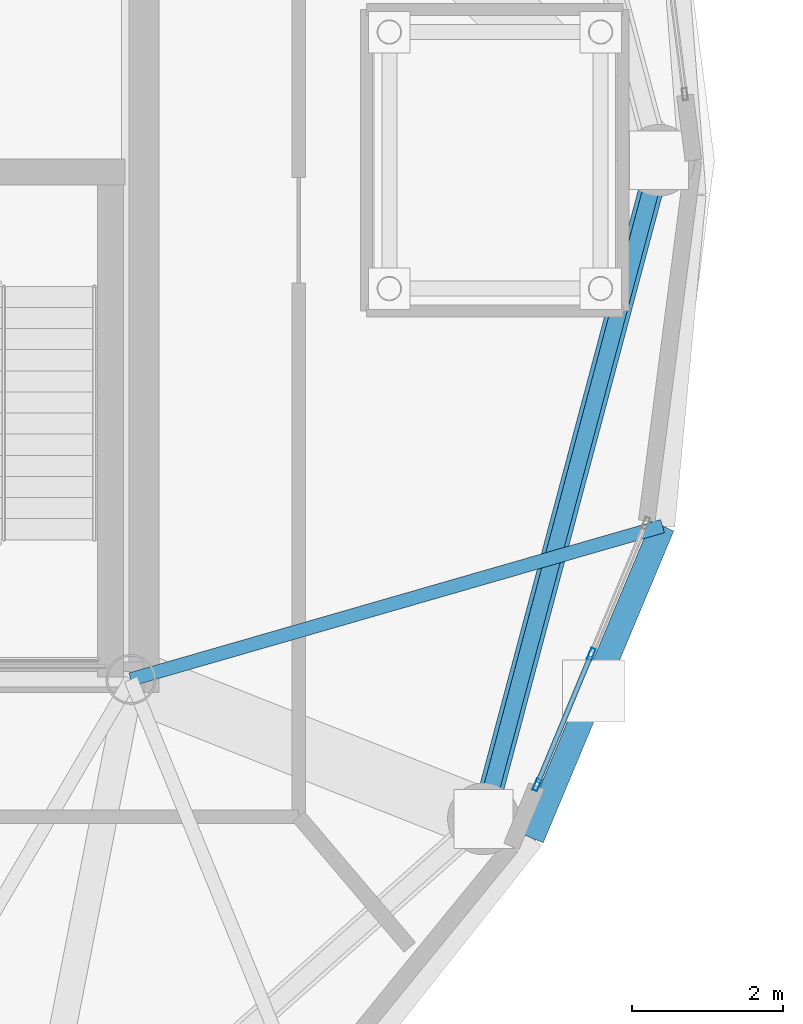
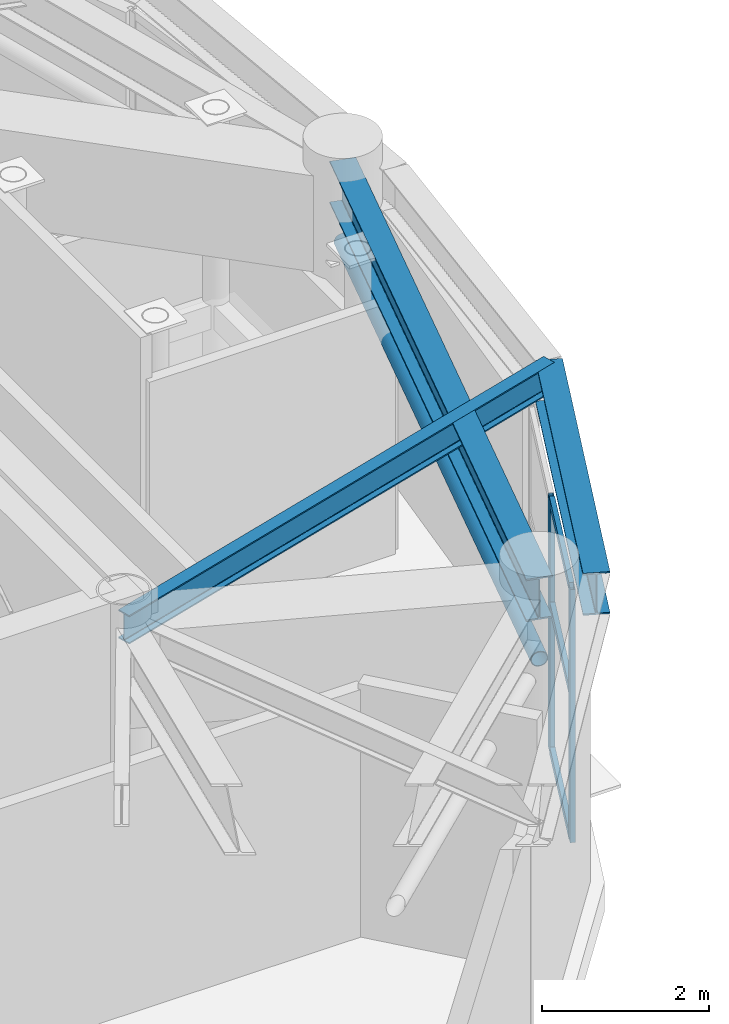
# One storey, part 5 of 28: 6 members, 3 beams, 1 element without a shape of its own.
"""IFC4 building model written with IfcOpenShell, lengths in metres."""

import ifcopenshell
import ifcopenshell.guid

model = None  # the IFC model being written
_history = None  # IfcOwnerHistory: only IFC2X3 demands one
_inside = {}  # id of a spatial element -> (the spatial element, [elements in it])
_under = {}  # id of a project, library or spatial element -> (it, [spatial elements below it])
_declared = {}  # id of a project -> (the project, [libraries it declares])
_typed = {}  # id of a type object -> (the type object, [elements of that type])
_made_of = {}  # id of a material, layer set ... -> (it, [elements and type objects made of it])


def new_model(schema):
    """Start an empty IFC model of exactly this schema.

    Asked for "IFC4X3", IfcOpenShell would pick the latest addendum, in which some entities
    have other attributes; the version numbers below select the first issue.
    IFC2X3 requires an IfcOwnerHistory on every rooted entity: one is made here for all.
    """
    global model, _history
    if schema == "IFC4X3":
        model = ifcopenshell.file(schema_version=(4, 3, 0, 0))
    else:
        model = ifcopenshell.file(schema=schema)
    _inside.clear()
    _under.clear()
    _declared.clear()
    _typed.clear()
    _made_of.clear()
    _history = None
    if model.schema == "IFC2X3":
        org = make("IfcOrganization", Name="unknown")
        user = make(
            "IfcPersonAndOrganization",
            ThePerson=make("IfcPerson", FamilyName="unknown"),
            TheOrganization=org,
        )
        app = make(
            "IfcApplication",
            ApplicationDeveloper=org,
            Version="unknown",
            ApplicationFullName="unknown",
            ApplicationIdentifier="unknown",
        )
        _history = make(
            "IfcOwnerHistory",
            OwningUser=user,
            OwningApplication=app,
            ChangeAction="ADDED",
            CreationDate=0,
        )
    return model


def make(cls, **values):
    """One entity of the class cls with the attributes given. An attribute that is None is left unset."""
    return model.create_entity(
        cls, **{name: value for name, value in values.items() if value is not None}
    )


def rooted(cls, **values):
    """An entity with a GlobalId (a new one), such as an element, a storey or a relation."""
    return make(cls, GlobalId=ifcopenshell.guid.new(), OwnerHistory=_history, **values)


def si_unit(unit_type, name, prefix=None):
    """IfcSIUnit, for example si_unit("LENGTHUNIT", "METRE", prefix="MILLI")."""
    return make("IfcSIUnit", UnitType=unit_type, Prefix=prefix, Name=name)


def assignment(units):
    """IfcUnitAssignment: the units of a project."""
    return None if units is None else make("IfcUnitAssignment", Units=units)


def point(xyz):
    """IfcCartesianPoint."""
    return None if xyz is None else make("IfcCartesianPoint", Coordinates=xyz)


def direction(xyz):
    """IfcDirection."""
    return None if xyz is None else make("IfcDirection", DirectionRatios=xyz)


def frame(location, z_axis=None, x_axis=None):
    """IfcAxis2Placement3D, a coordinate frame: its origin and axes. An axis left out is left unset."""
    return make(
        "IfcAxis2Placement3D",
        Location=point(location),
        Axis=direction(z_axis),
        RefDirection=direction(x_axis),
    )


def frame_2d(location, x_axis=None):
    """IfcAxis2Placement2D, a coordinate frame in the plane: its origin and x axis."""
    return make(
        "IfcAxis2Placement2D", Location=point(location), RefDirection=direction(x_axis)
    )


def origin():
    """The frame at (0, 0, 0) with its axes left unset."""
    return frame((0.0, 0.0, 0.0))


def origin_2d():
    """The frame at (0, 0) in the plane with its x axis left unset."""
    return frame_2d((0.0, 0.0))


def place(relative_to, where):
    """IfcLocalPlacement: puts the frame where relative to a parent placement (None: the world)."""
    return make(
        "IfcLocalPlacement", PlacementRelTo=relative_to, RelativePlacement=where
    )


def context(
    kind, dimensions, precision=None, world=None, true_north=None, identifier=None
):
    """IfcGeometricRepresentationContext, for example the 3D "Model" context."""
    return make(
        "IfcGeometricRepresentationContext",
        ContextIdentifier=identifier,
        ContextType=kind,
        CoordinateSpaceDimension=dimensions,
        Precision=precision,
        WorldCoordinateSystem=world,
        TrueNorth=true_north,
    )


def subcontext(parent, identifier, kind, view, scale=None):
    """IfcGeometricRepresentationSubContext, for example "Body" below "Model"."""
    return make(
        "IfcGeometricRepresentationSubContext",
        ContextIdentifier=identifier,
        ContextType=kind,
        ParentContext=parent,
        TargetScale=scale,
        TargetView=view,
    )


def project(units=None, contexts=None):
    """IfcProject with its units and contexts."""
    return rooted(
        "IfcProject",
        Name="project",
        RepresentationContexts=contexts,
        UnitsInContext=assignment(units),
    )


def spatial(cls, under=None, at=None, **own):
    """A site, building, storey or space (cls), placed at a placement, below another one or the project."""
    s = rooted(cls, ObjectPlacement=at, **own)
    if under is not None:
        _under.setdefault(under.id(), (under, []))[1].append(s)
    return s


def profile(cls, at=None, kind="AREA", **sizes):
    """A parametric profile (cls). Its sizes go by their IFC names, for example OverallWidth=200.0."""
    return make(cls, ProfileType=kind, Position=at, **sizes)


def hollow_rectangle(**sizes):
    """IfcRectangleHollowProfileDef."""
    return profile("IfcRectangleHollowProfileDef", **sizes)


def hollow_circle(**sizes):
    """IfcCircleHollowProfileDef."""
    return profile("IfcCircleHollowProfileDef", **sizes)


def i_section(**sizes):
    """IfcIShapeProfileDef."""
    return profile("IfcIShapeProfileDef", **sizes)


def extrude(swept, where, along, depth):
    """IfcExtrudedAreaSolid: the profile swept, set in the frame where, extruded along a direction by depth."""
    return make(
        "IfcExtrudedAreaSolid",
        SweptArea=swept,
        Position=where,
        ExtrudedDirection=direction(along),
        Depth=depth,
    )


def shape(context_of_items, identifier, shape_type, items):
    """IfcShapeRepresentation: the items that make up one representation, for example the "Body"."""
    return make(
        "IfcShapeRepresentation",
        ContextOfItems=context_of_items,
        RepresentationIdentifier=identifier,
        RepresentationType=shape_type,
        Items=items,
    )


def material(Name=None, Category=None):
    """IfcMaterial."""
    return make("IfcMaterial", Name=Name, Category=Category)


def layer(
    of_material, thickness, ventilated=None, Name=None, Category=None, Priority=None
):
    """IfcMaterialLayer: one layer of a wall or slab, of a material (None: an air gap)."""
    return make(
        "IfcMaterialLayer",
        Material=of_material,
        LayerThickness=thickness,
        IsVentilated=ventilated,
        Name=Name,
        Category=Category,
        Priority=Priority,
    )


def layer_set(layers, Name=None):
    """IfcMaterialLayerSet."""
    return make("IfcMaterialLayerSet", MaterialLayers=layers, LayerSetName=Name)


def material_profile(
    of_material, cross_section, Name=None, Category=None, Priority=None
):
    """IfcMaterialProfile: a cross section and its material."""
    return make(
        "IfcMaterialProfile",
        Name=Name,
        Material=of_material,
        Profile=cross_section,
        Priority=Priority,
        Category=Category,
    )


def profile_set(profiles, Name=None, composite=None):
    """IfcMaterialProfileSet."""
    return make(
        "IfcMaterialProfileSet",
        Name=Name,
        MaterialProfiles=profiles,
        CompositeProfile=composite,
    )


def made_of(thing, what):
    """Note that an element or type object is made of a material, layer set ...; save() writes the relation."""
    if what is not None:
        _made_of.setdefault(what.id(), (what, []))[1].append(thing)
    return thing


def type_object(cls, material=None, **own):
    """A type object (cls), such as IfcWallType, which elements share."""
    return made_of(rooted(cls, **own), material)


def element(
    cls,
    number,
    at=None,
    inside=None,
    cuts=None,
    type_object=None,
    material=None,
    context=None,
    identifier="Body",
    shape_type=None,
    held_by="IfcProductDefinitionShape",
    body=None,
    shapes=None,
    **own,
):
    """One element of the class cls, such as IfcWall. Its Tag is "e" and its number.

    at: its placement. inside: the storey or other place that contains it. cuts: it is an
    opening in that element (IfcRelVoidsElement). A single representation is given by context,
    identifier, shape_type and body (its items); several are given by shapes. held_by: the class
    of the entity that holds the representations. save() writes the other relations.
    """
    e = rooted(cls, Tag="e%d" % number, ObjectPlacement=at, **own)
    if body is not None:
        shapes = [shape(context, identifier, shape_type, body)]
    if shapes is not None:
        e.Representation = make(held_by, Representations=shapes)
    if inside is not None:
        _inside.setdefault(inside.id(), (inside, []))[1].append(e)
    if cuts is not None:
        rooted(
            "IfcRelVoidsElement", RelatingBuildingElement=cuts, RelatedOpeningElement=e
        )
    if type_object is not None:
        _typed.setdefault(type_object.id(), (type_object, []))[1].append(e)
    return made_of(e, material)


def aggregate(whole, parts):
    """IfcRelAggregates: a whole, such as a stair, and the parts it consists of."""
    return rooted("IfcRelAggregates", RelatingObject=whole, RelatedObjects=parts)


def save(model, path):
    """Write the relations noted so far, then the file.

    IfcRelAggregates (storeys below a building ...), IfcRelContainedInSpatialStructure (elements
    in a storey), IfcRelDefinesByType, IfcRelAssociatesMaterial and IfcRelDeclares: one each for
    every whole, place, type object, material and project.
    """
    for whole, parts in _under.values():
        aggregate(whole, parts)
    for where, things in _inside.values():
        rooted(
            "IfcRelContainedInSpatialStructure",
            RelatedElements=things,
            RelatingStructure=where,
        )
    for kind, things in _typed.values():
        rooted("IfcRelDefinesByType", RelatedObjects=things, RelatingType=kind)
    for what, things in _made_of.values():
        rooted("IfcRelAssociatesMaterial", RelatedObjects=things, RelatingMaterial=what)
    for by, libraries in _declared.values():
        rooted("IfcRelDeclares", RelatingContext=by, RelatedDefinitions=libraries)
    model.write(path)


model = new_model("IFC4")

# Units and contexts
model_context = context("Model", 3, precision=1e-05, world=origin(), true_north=direction((0.0, 1.0)))
body_context = subcontext(model_context, "Body", "Model", "MODEL_VIEW")
ifc_project = project(units=[si_unit("LENGTHUNIT", "METRE"), si_unit("AREAUNIT", "SQUARE_METRE"), si_unit("VOLUMEUNIT", "CUBIC_METRE"), si_unit("PLANEANGLEUNIT", "RADIAN"), si_unit("MASSUNIT", "GRAM", prefix="KILO")], contexts=[model_context])

# Site, building, storey
site_placement = place(None, origin())
site = spatial("IfcSite", under=ifc_project, at=site_placement, CompositionType="ELEMENT")
building_placement = place(site_placement, origin())
building = spatial("IfcBuilding", under=site, at=building_placement, Name="Cununo Teusaquillo Station Towers", CompositionType="ELEMENT")
storey_placement = place(building_placement, frame((0.0, 0.0, 235.64990234375)))
storey = spatial("IfcBuildingStorey", under=building, at=storey_placement, Name="L75", CompositionType="ELEMENT", Elevation=235.64990234375)

# Beams
ifc_material_1 = material(Name="Steel ASTM A572 Grade 50", Category="steel")
ifc_material_profile_1 = material_profile(ifc_material_1, i_section(OverallWidth=0.180908203125, OverallDepth=0.4169921875, WebThickness=0.010986328125, FlangeThickness=0.018310546875, FilletRadius=0.012939453125, at=origin_2d()), Name="W16X57")
ifc_profile_set_1 = profile_set([ifc_material_profile_1], Name="Steel ASTM A572 Grade 50")
beam_type_1 = type_object("IfcBeamType", Name="BM-JOIST-1", PredefinedType="JOIST", material=ifc_profile_set_1)
beam_1_placement = place(storey_placement, frame((21.675048828125, 17.6201171875, 4.131591796875), z_axis=(0.960861603375, 0.277028841748, 0.0), x_axis=(-0.277028841748, 0.960861603375, 0.0)))
element("IfcBeam", 1, at=beam_1_placement, inside=storey, type_object=beam_type_1, Name="L75 Tower A Radial Spandrel Joist V19", PredefinedType="JOIST", context=body_context, shape_type="SweptSolid", body=[
    extrude(i_section(OverallWidth=0.180908203125, OverallDepth=0.4169921875, WebThickness=0.010986328125, FlangeThickness=0.018310546875, FilletRadius=0.012939453125, at=origin_2d()), origin(), (0.0, 0.0, 1.0), 7.333251953125),
])
ifc_material_2 = material(Name="Steel ASTM A572 Grade 50", Category="steel")
ifc_material_profile_2 = material_profile(ifc_material_2, i_section(OverallWidth=0.324951171875, OverallDepth=0.615966796875, WebThickness=0.013916015625, FlangeThickness=0.021484375, FilletRadius=0.01611328125, at=origin_2d()), Name="W24X117")
ifc_profile_set_2 = profile_set([ifc_material_profile_2], Name="Steel ASTM A572 Grade 50")
beam_type_2 = type_object("IfcBeamType", Name="BM-PLNT-G2", PredefinedType="BEAM", material=ifc_profile_set_2)
beam_2_placement = place(storey_placement, frame((26.347412109375, 15.771484375, 4.031982421875), z_axis=(0.257363196347, 0.966314744359, 0.0), x_axis=(-0.966314744359, 0.257363196347, 0.0)))
element("IfcBeam", 2, at=beam_2_placement, inside=storey, type_object=beam_type_2, Name="L75 Tower A Structural Column Ring Girder 10", PredefinedType="BEAM", context=body_context, shape_type="SweptSolid", body=[
    extrude(i_section(OverallWidth=0.324951171875, OverallDepth=0.615966796875, WebThickness=0.013916015625, FlangeThickness=0.021484375, FilletRadius=0.01611328125, at=origin_2d()), origin(), (0.0, 0.0, 1.0), 9.03271484375),
])
beam_3_placement = place(storey_placement, frame((26.990478515625, 15.516845703125, 4.031982421875), z_axis=(0.386115454066, 0.922450462698, 0.0), x_axis=(-0.922450462698, 0.386115454066, 0.0)))
element("IfcBeam", 3, at=beam_3_placement, inside=storey, type_object=beam_type_2, Name="L75 Tower A Spandrel Ring Beam 19", PredefinedType="BEAM", context=body_context, shape_type="SweptSolid", body=[
    extrude(i_section(OverallWidth=0.324951171875, OverallDepth=0.615966796875, WebThickness=0.013916015625, FlangeThickness=0.021484375, FilletRadius=0.01611328125, at=origin_2d()), origin(), (0.0, 0.0, 1.0), 4.482421875),
])

# Curtain wall, members
ifc_material_3 = material(Name="Ceramic-fritted dark low-E double glazing", Category="glass")
ifc_layer = layer(ifc_material_3, 0.179931640625)
ifc_layer_set = layer_set([ifc_layer], Name="Ceramic-fritted dark low-E double glazing")
curtain_wall_type = type_object("IfcCurtainWallType", Name="CW-SYS-08", PredefinedType="USERDEFINED", material=ifc_layer_set)
curtain_wall_placement = place(storey_placement, origin())
curtain_wall = element("IfcCurtainWall", 4, at=curtain_wall_placement, inside=storey, type_object=curtain_wall_type, Name="L75 Tower A Crown Drum Glazed Screen C18", ObjectType="FRITTED GLAZING", PredefinedType="USERDEFINED")
ifc_material_4 = material(Name="Anodised dark bronze aluminium EN AW-6063-T6", Category="aluminium")
ifc_material_profile_3 = material_profile(ifc_material_4, hollow_rectangle(XDim=0.06494140625, YDim=0.159912109375, WallThickness=0.00390625, at=origin_2d()), Name="CW-MULL-65x160")
ifc_profile_set_3 = profile_set([ifc_material_profile_3], Name="Anodised dark bronze aluminium EN AW-6063-T6")
member_type_1 = type_object("IfcMemberType", Name="CWM-160", PredefinedType="MULLION", material=ifc_profile_set_3)
member_1_placement = place(storey_placement, frame((27.778076171875, 17.95556640625, 0.0), z_axis=(0.0, 0.0, 1.0), x_axis=(0.923306740191, -0.384063358729, 0.0)))
member_1 = element("IfcMember", 5, at=member_1_placement, type_object=member_type_1, Name="CW-08 mullion 2", PredefinedType="MULLION", context=body_context, shape_type="SweptSolid", body=[
    extrude(hollow_rectangle(XDim=0.06494140625, YDim=0.159912109375, WallThickness=0.00390625, at=origin_2d()), origin(), (0.0, 0.0, 1.0), 3.696044921875),
])
member_2_placement = place(storey_placement, frame((27.056884765625, 16.221923828125, 0.0), z_axis=(0.0, 0.0, 1.0), x_axis=(0.923306740191, -0.384063358729, 0.0)))
member_2 = element("IfcMember", 6, at=member_2_placement, type_object=member_type_1, Name="CW-08 mullion 3", PredefinedType="MULLION", context=body_context, shape_type="SweptSolid", body=[
    extrude(hollow_rectangle(XDim=0.06494140625, YDim=0.159912109375, WallThickness=0.00390625, at=origin_2d()), origin(), (0.0, 0.0, 1.0), 3.696044921875),
])
ifc_material_5 = material(Name="Anodised dark bronze aluminium EN AW-6063-T6", Category="aluminium")
ifc_material_profile_4 = material_profile(ifc_material_5, hollow_rectangle(XDim=0.06494140625, YDim=0.1201171875, WallThickness=0.00390625, at=origin_2d()), Name="CW-TRAN-65x120")
ifc_profile_set_4 = profile_set([ifc_material_profile_4], Name="Anodised dark bronze aluminium EN AW-6063-T6")
member_type_2 = type_object("IfcMemberType", Name="CWT-120", PredefinedType="USERDEFINED", material=ifc_profile_set_4)
member_3_placement = place(storey_placement, frame((27.765625, 17.925537109375, 0.03271484375), z_axis=(-0.384079825978, -0.923299890218, 0.0), x_axis=(0.923299890218, -0.384079825978, 0.0)))
member_3 = element("IfcMember", 7, at=member_3_placement, type_object=member_type_2, Name="CW-08 transom 2.1", ObjectType="TRANSOM", PredefinedType="USERDEFINED", context=body_context, shape_type="SweptSolid", body=[
    extrude(hollow_rectangle(XDim=0.06494140625, YDim=0.1201171875, WallThickness=0.00390625, at=origin_2d()), origin(), (0.0, 0.0, 1.0), 1.81298828125),
])
member_4_placement = place(storey_placement, frame((27.765625, 17.925537109375, 2.150146484375), z_axis=(-0.384079825978, -0.923299890218, 0.0), x_axis=(0.923299890218, -0.384079825978, 0.0)))
member_4 = element("IfcMember", 8, at=member_4_placement, type_object=member_type_2, Name="CW-08 transom 2.2", ObjectType="TRANSOM", PredefinedType="USERDEFINED", context=body_context, shape_type="SweptSolid", body=[
    extrude(hollow_rectangle(XDim=0.06494140625, YDim=0.1201171875, WallThickness=0.00390625, at=origin_2d()), origin(), (0.0, 0.0, 1.0), 1.81298828125),
])
member_5_placement = place(storey_placement, frame((27.765625, 17.925537109375, 3.66357421875), z_axis=(-0.384079825978, -0.923299890218, 0.0), x_axis=(0.923299890218, -0.384079825978, 0.0)))
member_5 = element("IfcMember", 9, at=member_5_placement, type_object=member_type_2, Name="CW-08 transom 2.3", ObjectType="TRANSOM", PredefinedType="USERDEFINED", context=body_context, shape_type="SweptSolid", body=[
    extrude(hollow_rectangle(XDim=0.06494140625, YDim=0.1201171875, WallThickness=0.00390625, at=origin_2d()), origin(), (0.0, 0.0, 1.0), 1.81298828125),
])
aggregate(curtain_wall, [member_1, member_2, member_3, member_4, member_5])

# Member
ifc_material_6 = material(Name="Steel EN 10025-2 S355J2", Category="steel")
ifc_material_profile_5 = material_profile(ifc_material_6, hollow_circle(Radius=0.109619140625, WallThickness=0.010009765625, at=origin_2d()), Name="CHS 219x10")
ifc_profile_set_5 = profile_set([ifc_material_profile_5], Name="Steel EN 10025-2 S355J2")
member_type_3 = type_object("IfcMemberType", Name="MBR-DRUM-COL", PredefinedType="COLLAR", material=ifc_profile_set_5)
member_6_placement = place(storey_placement, frame((26.347412109375, 15.771484375, 3.150146484375), z_axis=(0.257363196347, 0.966314744359, 0.0), x_axis=(-0.966314744359, 0.257363196347, 0.0)))
element("IfcMember", 10, at=member_6_placement, inside=storey, type_object=member_type_3, Name="L75 Tower A Crown Drum Collar 10", PredefinedType="COLLAR", context=body_context, shape_type="SweptSolid", body=[
    extrude(hollow_circle(Radius=0.109619140625, WallThickness=0.010009765625, at=origin_2d()), origin(), (0.0, 0.0, 1.0), 9.03271484375),
])

save(model, "model.ifc")
